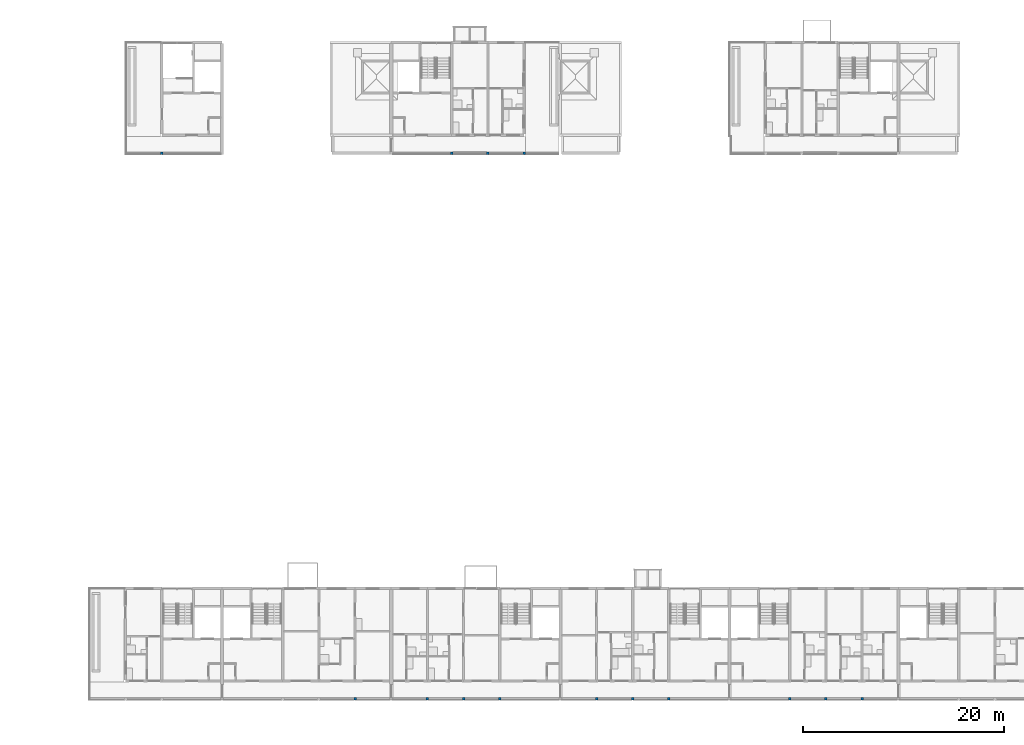
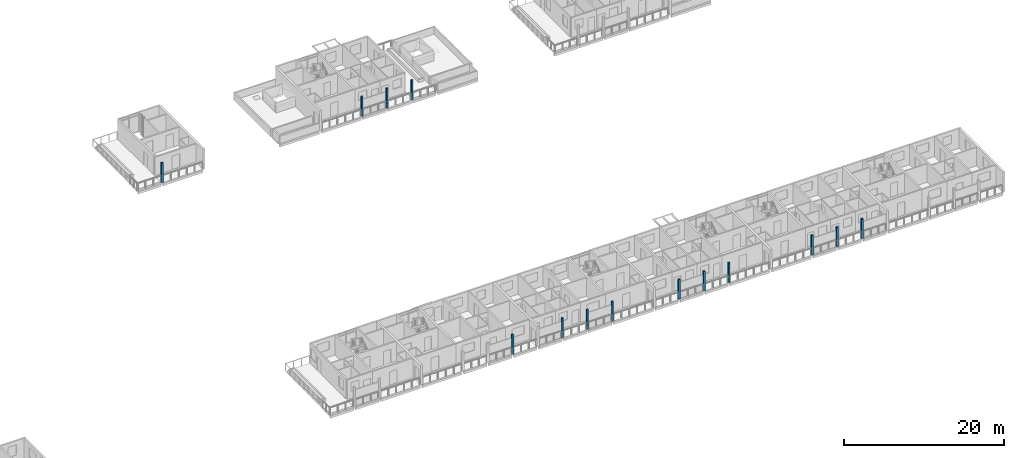
# One storey, part 3 of 78: 14 columns.
"""IFC4 building model written with IfcOpenShell, lengths in metres."""

from ifc_helpers import new_model, si_unit, direction, frame, origin, origin_2d, place, context, subcontext, project, spatial, rectangle, extrude, material, material_profile, profile_set, type_object, element, save


model = new_model("IFC4")

# Units and contexts
model_context = context("Model", 3, precision=1e-05, world=origin(), true_north=direction((0.0, 1.0)))
body_context = subcontext(model_context, "Body", "Model", "MODEL_VIEW")
ifc_project = project(units=[si_unit("LENGTHUNIT", "METRE"), si_unit("AREAUNIT", "SQUARE_METRE"), si_unit("VOLUMEUNIT", "CUBIC_METRE"), si_unit("PLANEANGLEUNIT", "RADIAN"), si_unit("MASSUNIT", "GRAM", prefix="KILO")], contexts=[model_context])

# Site, building, storey
site_placement = place(None, origin())
site = spatial("IfcSite", under=ifc_project, at=site_placement, CompositionType="ELEMENT")
building_placement = place(site_placement, origin())
building = spatial("IfcBuilding", under=site, at=building_placement, Name="Ridgestep Commons", CompositionType="ELEMENT")
storey_placement = place(building_placement, frame((0.0, 0.0, 30.0)))
storey = spatial("IfcBuildingStorey", under=building, at=storey_placement, Name="L10", CompositionType="ELEMENT", Elevation=30.0)

# Columns
ifc_material = material(Name="Precast concrete C40/50", Category="concrete")
ifc_material_profile = material_profile(ifc_material, rectangle(XDim=0.25, YDim=0.25, at=origin_2d()), Name="PC 250x250")
ifc_profile_set = profile_set([ifc_material_profile], Name="Precast concrete C40/50")
column_type = type_object("IfcColumnType", Name="Loggia column 250 x 250", PredefinedType="COLUMN", material=ifc_profile_set)
for number, where, z_axis, x_axis, name in (
    (1, (157.60009765625, 66.125, 0.0), (0.0, 0.0, 1.0), (1.0, 0.0, 0.0), "Loggia column C L10"),
    (2, (186.39990234375, 66.125, 0.0), (0.0, 0.0, 1.0), (1.0, 0.0, 0.0), "Loggia column C L10"),
    (3, (190.0, 66.125, 0.0), (0.0, 0.0, 1.0), (1.0, 0.0, 0.0), "Loggia column C L10"),
    (4, (193.60009765625, 66.125, 0.0), (0.0, 0.0, 1.0), (1.0, 0.0, 0.0), "Loggia column C L10"),
    (5, (176.800048828125, 11.875, 0.0), (0.0, 0.0, 1.0), (1.0, 0.0, 0.0), "Loggia column D L10"),
    (6, (184.0, 11.875, 0.0), (0.0, 0.0, 1.0), (1.0, 0.0, 0.0), "Loggia column D L10"),
    (7, (187.60009765625, 11.875, 0.0), (0.0, 0.0, 1.0), (1.0, 0.0, 0.0), "Loggia column D L10"),
    (8, (191.199951171875, 11.875, 0.0), (0.0, 0.0, 1.0), (1.0, 0.0, 0.0), "Loggia column D L10"),
    (9, (200.800048828125, 11.875, 0.0), (0.0, 0.0, 1.0), (1.0, 0.0, 0.0), "Loggia column D L10"),
    (10, (204.39990234375, 11.875, 0.0), (0.0, 0.0, 1.0), (1.0, 0.0, 0.0), "Loggia column D L10"),
    (11, (208.0, 11.875, 0.0), (0.0, 0.0, 1.0), (1.0, 0.0, 0.0), "Loggia column D L10"),
    (12, (220.0, 11.875, 0.0), (0.0, 0.0, 1.0), (1.0, 0.0, 0.0), "Loggia column D L10"),
    (13, (223.60009765625, 11.875, 0.0), (0.0, 0.0, 1.0), (1.0, 0.0, 0.0), "Loggia column D L10"),
    (14, (227.199951171875, 11.875, 0.0), (0.0, 0.0, 1.0), (1.0, 0.0, 0.0), "Loggia column D L10"),
):
    element("IfcColumn", number, at=place(storey_placement, frame(where, z_axis=z_axis, x_axis=x_axis)), inside=storey, type_object=column_type, Name=name, PredefinedType="COLUMN", context=body_context, shape_type="SweptSolid", body=[
        extrude(rectangle(XDim=0.25, YDim=0.25, at=origin_2d()), origin(), (0.0, 0.0, 1.0), 3.0),
    ])

save(model, "model.ifc")
